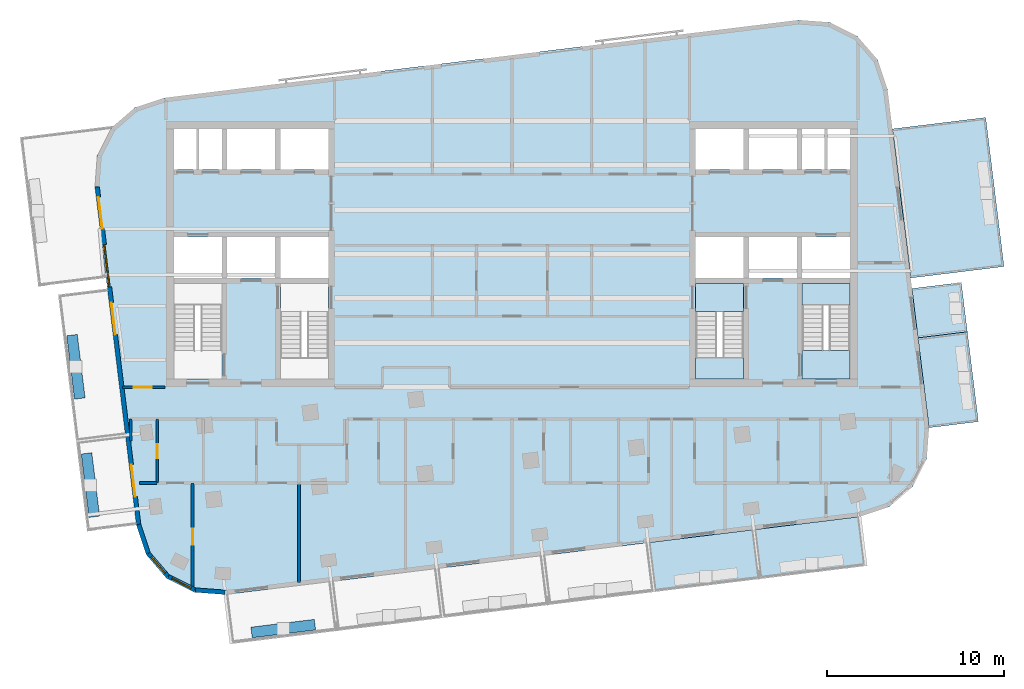
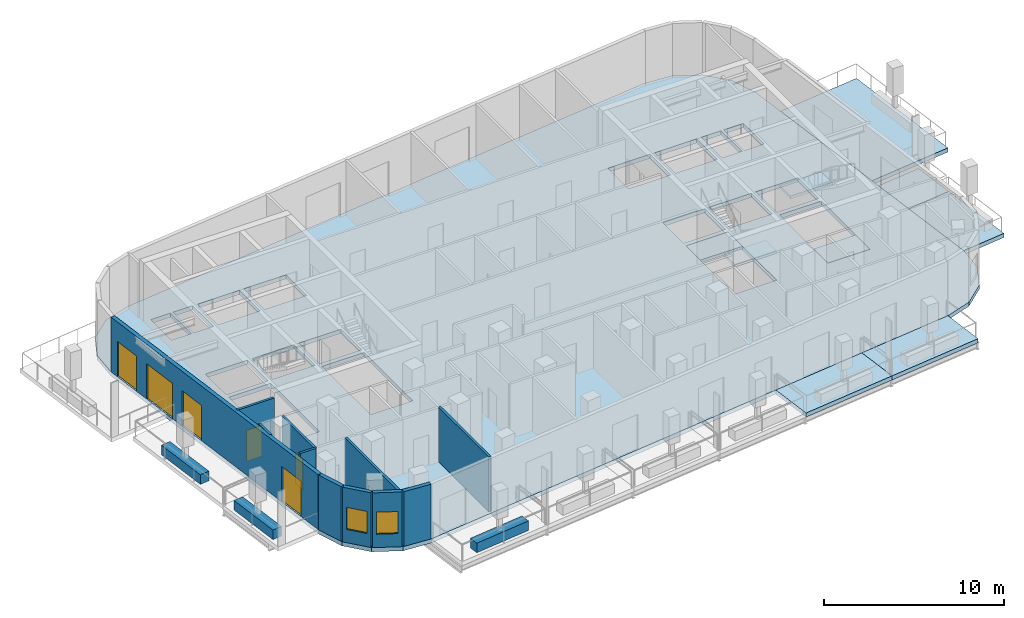
# One storey, part 2 of 11: 14 walls, 10 slabs, 6 doors, 3 windows, 9 openings, 2 elements without a shape of their own.
"""IFC4 building model written with IfcOpenShell, lengths in metres."""

from ifc_helpers import new_model, si_unit, direction, frame, frame_2d, origin, place, context, subcontext, project, spatial, polyline, rectangle, outline, extrude, material, layer, layer_set, type_object, element, fill, aggregate, save


model = new_model("IFC4")

# Units and contexts
model_context = context("Model", 3, precision=1e-05, world=origin(), true_north=direction((0.0, 1.0)))
body_context = subcontext(model_context, "Body", "Model", "MODEL_VIEW")
ifc_project = project(units=[si_unit("LENGTHUNIT", "METRE"), si_unit("AREAUNIT", "SQUARE_METRE"), si_unit("VOLUMEUNIT", "CUBIC_METRE"), si_unit("PLANEANGLEUNIT", "RADIAN"), si_unit("MASSUNIT", "GRAM", prefix="KILO")], contexts=[model_context])

# Site, building, storey
site_placement = place(None, origin())
site = spatial("IfcSite", under=ifc_project, at=site_placement, CompositionType="ELEMENT")
building_placement = place(site_placement, origin())
building = spatial("IfcBuilding", under=site, at=building_placement, Name="Torana Hotel and Residences", CompositionType="ELEMENT")
storey_placement = place(building_placement, frame((0.0, 0.0, 330.60009765625)))
storey = spatial("IfcBuildingStorey", under=building, at=storey_placement, Name="L87", CompositionType="ELEMENT", Elevation=330.60009765625)

# Slabs
ifc_material_1 = material(Name="Concrete C40/50", Category="concrete")
ifc_layer_1 = layer(ifc_material_1, 0.280029296875)
ifc_layer_set_1 = layer_set([ifc_layer_1], Name="BAL1 BALCONY SLAB 280")
slab_type_1 = type_object("IfcSlabType", Name="BAL1 BALCONY SLAB 280", PredefinedType="USERDEFINED", material=ifc_layer_set_1)
slab_1_placement = place(storey_placement, frame((0.0, 0.0, -0.280029296875)))
element("IfcSlab", 1, at=slab_1_placement, inside=storey, type_object=slab_type_1, Name="Balcony 05", ObjectType="BALCONY", PredefinedType="USERDEFINED", context=body_context, shape_type="SweptSolid", body=[
    extrude(outline(polyline([(8.014892578125, -26.542724609375), (13.97021484375, -25.8115234375), (13.62890625, -23.032470703125), (7.673583984375, -23.763671875), (8.014892578125, -26.542724609375)])), origin(), (0.0, 0.0, 1.0), 0.280029296875),
])
slab_2_placement = place(storey_placement, frame((0.0, 0.0, -0.280029296875)))
element("IfcSlab", 2, at=slab_2_placement, inside=storey, type_object=slab_type_1, Name="Balcony 06", ObjectType="BALCONY", PredefinedType="USERDEFINED", context=body_context, shape_type="SweptSolid", body=[
    extrude(outline(polyline([(13.97021484375, -25.8115234375), (19.92529296875, -25.080322265625), (19.584228515625, -22.30126953125), (13.62890625, -23.032470703125), (13.97021484375, -25.8115234375)])), origin(), (0.0, 0.0, 1.0), 0.280029296875),
])
slab_3_placement = place(storey_placement, frame((0.0, 0.0, -0.280029296875)))
element("IfcSlab", 3, at=slab_3_placement, inside=storey, type_object=slab_type_1, Name="Balcony 10", ObjectType="BALCONY", PredefinedType="USERDEFINED", context=body_context, shape_type="SweptSolid", body=[
    extrude(outline(polyline([(23.502197265625, -17.286376953125), (26.281494140625, -16.945068359375), (25.659912109375, -11.88330078125), (22.880615234375, -12.224365234375), (23.502197265625, -17.286376953125)])), origin(), (0.0, 0.0, 1.0), 0.280029296875),
])
slab_4_placement = place(storey_placement, frame((0.0, 0.0, -0.280029296875)))
element("IfcSlab", 4, at=slab_4_placement, inside=storey, type_object=slab_type_1, Name="Balcony 11", ObjectType="BALCONY", PredefinedType="USERDEFINED", context=body_context, shape_type="SweptSolid", body=[
    extrude(outline(polyline([(22.880615234375, -12.224365234375), (25.659912109375, -11.88330078125), (25.318603515625, -9.104248046875), (22.53955078125, -9.445556640625), (22.880615234375, -12.224365234375)])), origin(), (0.0, 0.0, 1.0), 0.280029296875),
])
slab_5_placement = place(storey_placement, frame((0.0, 0.0, -0.280029296875)))
element("IfcSlab", 5, at=slab_5_placement, inside=storey, type_object=slab_type_1, Name="Balcony 12", ObjectType="BALCONY", PredefinedType="USERDEFINED", context=body_context, shape_type="SweptSolid", body=[
    extrude(outline(polyline([(22.46630859375, -8.85009765625), (27.726806640625, -8.2041015625), (26.695556640625, 0.19580078125), (21.43505859375, -0.449951171875), (22.46630859375, -8.85009765625)])), origin(), (0.0, 0.0, 1.0), 0.280029296875),
])
ifc_material_2 = material(Name="Concrete C40/50", Category="concrete")
ifc_layer_2 = layer(ifc_material_2, 0.280029296875)
ifc_layer_set_2 = layer_set([ifc_layer_2], Name="FLOOR SLAB PT 280")
slab_type_2 = type_object("IfcSlabType", Name="FLOOR SLAB PT 280", PredefinedType="FLOOR", material=ifc_layer_set_2)
slab_6_placement = place(storey_placement, frame((0.0, 0.0, -0.280029296875)))
element("IfcSlab", 6, at=slab_6_placement, inside=storey, type_object=slab_type_2, Name="Floor slab", PredefinedType="FLOOR", context=body_context, shape_type="SweptSolid", body=[
    extrude(outline(polyline([(21.162353515625, 1.7705078125), (20.612548828125, 3.43798828125), (19.46630859375, 4.76806640625), (17.8984375, 5.558349609375), (16.1474609375, 5.6884765625), (-19.584228515625, 1.30126953125), (-21.251708984375, 0.75146484375), (-22.581787109375, -0.394775390625), (-23.3720703125, -1.962646484375), (-23.502197265625, -3.713623046875), (-21.162353515625, -22.7705078125), (-20.612548828125, -24.43798828125), (-19.46630859375, -25.76806640625), (-17.8984375, -26.558349609375), (-16.1474609375, -26.6884765625), (19.584228515625, -22.30126953125), (21.251708984375, -21.75146484375), (22.581787109375, -20.605224609375), (23.3720703125, -19.037353515625), (23.502197265625, -17.286376953125), (21.162353515625, 1.7705078125)]), holes=[polyline([(-13.050048828125, -14.550048828125), (-10.35009765625, -14.550048828125), (-10.35009765625, -9.14990234375), (-13.050048828125, -9.14990234375), (-13.050048828125, -14.550048828125)]), polyline([(-19.050048828125, -14.550048828125), (-16.35009765625, -14.550048828125), (-16.35009765625, -9.14990234375), (-19.050048828125, -9.14990234375), (-19.050048828125, -14.550048828125)]), polyline([(-17.625, -2.75), (-16.35009765625, -2.75), (-16.35009765625, -0.449951171875), (-17.625, -0.449951171875), (-17.625, -2.75)]), polyline([(-19.050048828125, -2.75), (-17.77490234375, -2.75), (-17.77490234375, -0.449951171875), (-19.050048828125, -0.449951171875), (-19.050048828125, -2.75)]), polyline([(-13.050048828125, -2.75), (-10.35009765625, -2.75), (-10.35009765625, -0.449951171875), (-13.050048828125, -0.449951171875), (-13.050048828125, -2.75)]), polyline([(-16.050048828125, -2.75), (-13.35009765625, -2.75), (-13.35009765625, -0.449951171875), (-16.050048828125, -0.449951171875), (-16.050048828125, -2.75)]), polyline([(-13.050048828125, -8.85009765625), (-10.35009765625, -8.85009765625), (-10.35009765625, -6.550048828125), (-13.050048828125, -6.550048828125), (-13.050048828125, -8.85009765625)]), polyline([(-16.050048828125, -8.85009765625), (-13.35009765625, -8.85009765625), (-13.35009765625, -6.550048828125), (-16.050048828125, -6.550048828125), (-16.050048828125, -8.85009765625)]), polyline([(-19.050048828125, -8.85009765625), (-16.35009765625, -8.85009765625), (-16.35009765625, -6.550048828125), (-19.050048828125, -6.550048828125), (-19.050048828125, -8.85009765625)]), polyline([(10.35009765625, -14.550048828125), (13.050048828125, -14.550048828125), (13.050048828125, -9.14990234375), (10.35009765625, -9.14990234375), (10.35009765625, -14.550048828125)]), polyline([(16.35009765625, -14.550048828125), (19.050048828125, -14.550048828125), (19.050048828125, -9.14990234375), (16.35009765625, -9.14990234375), (16.35009765625, -14.550048828125)]), polyline([(16.35009765625, -2.75), (17.625, -2.75), (17.625, -0.449951171875), (16.35009765625, -0.449951171875), (16.35009765625, -2.75)]), polyline([(17.77490234375, -2.75), (19.050048828125, -2.75), (19.050048828125, -0.449951171875), (17.77490234375, -0.449951171875), (17.77490234375, -2.75)]), polyline([(10.35009765625, -2.75), (13.050048828125, -2.75), (13.050048828125, -0.449951171875), (10.35009765625, -0.449951171875), (10.35009765625, -2.75)]), polyline([(13.35009765625, -2.75), (16.050048828125, -2.75), (16.050048828125, -0.449951171875), (13.35009765625, -0.449951171875), (13.35009765625, -2.75)]), polyline([(10.35009765625, -8.85009765625), (13.050048828125, -8.85009765625), (13.050048828125, -6.550048828125), (10.35009765625, -6.550048828125), (10.35009765625, -8.85009765625)]), polyline([(13.35009765625, -8.85009765625), (16.050048828125, -8.85009765625), (16.050048828125, -6.550048828125), (13.35009765625, -6.550048828125), (13.35009765625, -8.85009765625)]), polyline([(16.35009765625, -8.85009765625), (19.050048828125, -8.85009765625), (19.050048828125, -6.550048828125), (16.35009765625, -6.550048828125), (16.35009765625, -8.85009765625)])]), origin(), (0.0, 0.0, 1.0), 0.280029296875),
])

# Stair, slabs
ifc_material_3 = material(Name="Concrete C40/50 precast", Category="concrete")
stair_type_1 = type_object("IfcStairType", Name="STAIR ST3 HALF TURN 1200", PredefinedType="HALF_TURN_STAIR", material=ifc_material_3)
stair_1_placement = place(storey_placement, origin())
stair_1 = element("IfcStair", 7, at=stair_1_placement, inside=storey, type_object=stair_type_1, Name="Stair ST3 L87", PredefinedType="HALF_TURN_STAIR")
ifc_material_4 = material(Name="Concrete C40/50 precast", Category="concrete")
ifc_layer_3 = layer(ifc_material_4, 0.199951171875)
ifc_layer_set_3 = layer_set([ifc_layer_3], Name="STAIR LANDING 200")
slab_type_3 = type_object("IfcSlabType", Name="STAIR LANDING 200", PredefinedType="LANDING", material=ifc_layer_set_3)
slab_7_placement = place(storey_placement, frame((0.0, 0.0, 1.7998046875)))
slab_7 = element("IfcSlab", 8, at=slab_7_placement, type_object=slab_type_3, Name="ST3 landing 1", PredefinedType="LANDING", context=body_context, shape_type="SweptSolid", body=[
    extrude(outline(polyline([(10.35009765625, -14.550048828125), (13.050048828125, -14.550048828125), (13.050048828125, -13.35009765625), (10.35009765625, -13.35009765625), (10.35009765625, -14.550048828125)])), origin(), (0.0, 0.0, 1.0), 0.2001953125),
])
slab_8_placement = place(storey_placement, frame((0.0, 0.0, -0.2001953125)))
slab_8 = element("IfcSlab", 9, at=slab_8_placement, type_object=slab_type_3, Name="ST3 landing 2", PredefinedType="LANDING", context=body_context, shape_type="SweptSolid", body=[
    extrude(outline(polyline([(10.35009765625, -10.75), (13.050048828125, -10.75), (13.050048828125, -9.14990234375), (10.35009765625, -9.14990234375), (10.35009765625, -10.75)])), origin(), (0.0, 0.0, 1.0), 0.2001953125),
])
aggregate(stair_1, [slab_7, slab_8])

ifc_material_5 = material(Name="Concrete C40/50 precast", Category="concrete")
stair_type_2 = type_object("IfcStairType", Name="STAIR ST4 HALF TURN 1200", PredefinedType="HALF_TURN_STAIR", material=ifc_material_5)
stair_2_placement = place(storey_placement, origin())
stair_2 = element("IfcStair", 10, at=stair_2_placement, inside=storey, type_object=stair_type_2, Name="Stair ST4 L87", PredefinedType="HALF_TURN_STAIR")
slab_9_placement = place(storey_placement, frame((0.0, 0.0, 1.7998046875)))
slab_9 = element("IfcSlab", 11, at=slab_9_placement, type_object=slab_type_3, Name="ST4 landing 1", PredefinedType="LANDING", context=body_context, shape_type="SweptSolid", body=[
    extrude(outline(polyline([(16.35009765625, -10.35009765625), (19.050048828125, -10.35009765625), (19.050048828125, -9.14990234375), (16.35009765625, -9.14990234375), (16.35009765625, -10.35009765625)])), origin(), (0.0, 0.0, 1.0), 0.2001953125),
])
slab_10_placement = place(storey_placement, frame((0.0, 0.0, -0.2001953125)))
slab_10 = element("IfcSlab", 12, at=slab_10_placement, type_object=slab_type_3, Name="ST4 landing 2", PredefinedType="LANDING", context=body_context, shape_type="SweptSolid", body=[
    extrude(outline(polyline([(16.35009765625, -14.550048828125), (19.050048828125, -14.550048828125), (19.050048828125, -12.949951171875), (16.35009765625, -12.949951171875), (16.35009765625, -14.550048828125)])), origin(), (0.0, 0.0, 1.0), 0.2001953125),
])
aggregate(stair_2, [slab_9, slab_10])

# Wall, openings, doors, window
ifc_material_6 = material(Name="Black aluminium composite panel", Category="aluminium")
ifc_layer_4 = layer(ifc_material_6, 0.00390625, Name="Cladding", Category="cladding")
ifc_material_7 = material(Name="Ventilated air cavity")
ifc_layer_5 = layer(ifc_material_7, 0.0400390625, Name="Ventilated cavity", Category="cavity")
ifc_material_8 = material(Name="Mineral wool insulation")
ifc_layer_6 = layer(ifc_material_8, 0.090087890625, Name="Insulation", Category="insulation")
ifc_material_9 = material(Name="Steel S280GD", Category="steel")
ifc_layer_7 = layer(ifc_material_9, 0.092041015625, Name="Steel stud frame", Category="structure")
ifc_material_10 = material(Name="Fire rated plasterboard")
ifc_layer_8 = layer(ifc_material_10, 0.011962890625, Name="Inner board", Category="finish")
ifc_layer_9 = layer(ifc_material_10, 0.011962890625, Name="Second board", Category="finish")
ifc_layer_set_4 = layer_set([ifc_layer_4, ifc_layer_5, ifc_layer_6, ifc_layer_7, ifc_layer_8, ifc_layer_9], Name="EW1 EXTERNAL WALL BLACK METAL CLAD 250")
wall_type_1 = type_object("IfcWallType", Name="EW1 EXTERNAL WALL BLACK METAL CLAD 250", PredefinedType="SOLIDWALL", material=ifc_layer_set_4)
wall_1_placement = place(storey_placement, frame((-23.375, -3.722900390625, 0.0), z_axis=(0.0, 0.0, 1.0), x_axis=(0.121862878281, -0.992546945437, 0.0)))
wall_1 = element("IfcWall", 13, at=wall_1_placement, inside=storey, type_object=wall_type_1, Name="External wall L87 e0.9", PredefinedType="SOLIDWALL", context=body_context, shape_type="SweptSolid", body=[
    extrude(rectangle(XDim=19.150634765625, YDim=0.25, at=frame_2d((9.5751953125, 0.0))), origin(), (0.0, 0.0, 1.0), 3.719970703125),
])
opening_1_placement = place(wall_1_placement, frame((0.574951171875, 0.0, 0.0)))
opening_1 = element("IfcOpeningElement", 14, at=opening_1_placement, cuts=wall_1, Name="Opening L87-E10", PredefinedType="OPENING", context=body_context, shape_type="SweptSolid", body=[
    extrude(rectangle(XDim=1.800048828125, YDim=2.39990234375, at=frame_2d((0.89990234375, 1.199951171875))), frame((0.0, 0.135009765625, 0.0), z_axis=(0.0, -1.0, 0.0), x_axis=(1.0, 0.0, 0.0)), (0.0, 0.0, 1.0), 0.27001953125),
])
opening_2_placement = place(wall_1_placement, frame((3.275390625, 0.0, 0.0)))
opening_2 = element("IfcOpeningElement", 15, at=opening_2_placement, cuts=wall_1, Name="Opening W6", PredefinedType="OPENING", context=body_context, shape_type="SweptSolid", body=[
    extrude(rectangle(XDim=2.39990234375, YDim=2.39990234375, at=frame_2d((1.199951171875, 1.199951171875))), frame((0.0, 0.135009765625, 0.0), z_axis=(0.0, -1.0, 0.0), x_axis=(1.0, 0.0, 0.0)), (0.0, 0.0, 1.0), 0.27001953125),
])
opening_3_placement = place(wall_1_placement, frame((6.57568359375, 0.0, 0.0)))
opening_3 = element("IfcOpeningElement", 16, at=opening_3_placement, cuts=wall_1, Name="Opening L87-E11", PredefinedType="OPENING", context=body_context, shape_type="SweptSolid", body=[
    extrude(rectangle(XDim=1.800048828125, YDim=2.39990234375, at=frame_2d((0.89990234375, 1.199951171875))), frame((0.0, 0.135009765625, 0.0), z_axis=(0.0, -1.0, 0.0), x_axis=(1.0, 0.0, 0.0)), (0.0, 0.0, 1.0), 0.27001953125),
])
opening_4_placement = place(wall_1_placement, frame((15.77490234375, 0.0, 0.0)))
opening_4 = element("IfcOpeningElement", 17, at=opening_4_placement, cuts=wall_1, Name="Opening L87-E12", PredefinedType="OPENING", context=body_context, shape_type="SweptSolid", body=[
    extrude(rectangle(XDim=1.800048828125, YDim=2.39990234375, at=frame_2d((0.89990234375, 1.199951171875))), frame((0.0, 0.135009765625, 0.0), z_axis=(0.0, -1.0, 0.0), x_axis=(1.0, 0.0, 0.0)), (0.0, 0.0, 1.0), 0.27001953125),
])
ifc_material_11 = material(Name="Dark glass in black aluminium frame", Category="aluminium")
door_type_1 = type_object("IfcDoorType", Name="DB1 BALCONY DOOR 1800x2400", OperationType="DOUBLE_DOOR_SINGLE_SWING", PredefinedType="DOOR", material=ifc_material_11)
door_1_placement = place(opening_1_placement, origin())
door_1 = element("IfcDoor", 18, at=door_1_placement, inside=storey, type_object=door_type_1, Name="Balcony door L87", OperationType="DOUBLE_DOOR_SINGLE_SWING", OverallHeight=2.39990234375, OverallWidth=1.800048828125, PredefinedType="DOOR", context=body_context, shape_type="SweptSolid", body=[
    extrude(rectangle(XDim=1.800048828125, YDim=2.39990234375, at=frame_2d((0.89990234375, 1.199951171875))), frame((0.0, 0.02490234375, 0.0), z_axis=(0.0, -1.0, 0.0), x_axis=(1.0, 0.0, 0.0)), (0.0, 0.0, 1.0), 0.050048828125),
])
fill(opening_1, door_1)
door_2_placement = place(opening_3_placement, origin())
door_2 = element("IfcDoor", 19, at=door_2_placement, inside=storey, type_object=door_type_1, Name="Balcony door L87", OperationType="DOUBLE_DOOR_SINGLE_SWING", OverallHeight=2.39990234375, OverallWidth=1.800048828125, PredefinedType="DOOR", context=body_context, shape_type="SweptSolid", body=[
    extrude(rectangle(XDim=1.800048828125, YDim=2.39990234375, at=frame_2d((0.89990234375, 1.199951171875))), frame((0.0, 0.02490234375, 0.0), z_axis=(0.0, -1.0, 0.0), x_axis=(1.0, 0.0, 0.0)), (0.0, 0.0, 1.0), 0.050048828125),
])
fill(opening_3, door_2)
door_3_placement = place(opening_4_placement, origin())
door_3 = element("IfcDoor", 20, at=door_3_placement, inside=storey, type_object=door_type_1, Name="Balcony door L87", OperationType="DOUBLE_DOOR_SINGLE_SWING", OverallHeight=2.39990234375, OverallWidth=1.800048828125, PredefinedType="DOOR", context=body_context, shape_type="SweptSolid", body=[
    extrude(rectangle(XDim=1.800048828125, YDim=2.39990234375, at=frame_2d((0.89990234375, 1.199951171875))), frame((0.0, 0.02490234375, 0.0), z_axis=(0.0, -1.0, 0.0), x_axis=(1.0, 0.0, 0.0)), (0.0, 0.0, 1.0), 0.050048828125),
])
fill(opening_4, door_3)
ifc_material_12 = material(Name="Dark glass in black aluminium frame", Category="aluminium")
window_type_1 = type_object("IfcWindowType", Name="W6 CLUB GLAZED BAY 2400x2400", PartitioningType="SINGLE_PANEL", PredefinedType="WINDOW", material=ifc_material_12)
window_1_placement = place(opening_2_placement, origin())
window_1 = element("IfcWindow", 21, at=window_1_placement, inside=storey, type_object=window_type_1, Name="Window L87", OverallHeight=2.39990234375, OverallWidth=2.39990234375, PartitioningType="SINGLE_PANEL", PredefinedType="WINDOW", context=body_context, shape_type="SweptSolid", body=[
    extrude(rectangle(XDim=2.39990234375, YDim=2.39990234375, at=frame_2d((1.199951171875, 1.199951171875))), frame((0.0, 0.030029296875, 0.0), z_axis=(0.0, -1.0, 0.0), x_axis=(1.0, 0.0, 0.0)), (0.0, 0.0, 1.0), 0.06005859375),
])
fill(opening_2, window_1)

# Wall
wall_2_placement = place(storey_placement, frame((-21.035888671875, -22.754638671875, 0.0), z_axis=(0.0, 0.0, 1.0), x_axis=(0.313046160822, -0.949737911844, 0.0)))
element("IfcWall", 22, at=wall_2_placement, inside=storey, type_object=wall_type_1, Name="External wall L87 e0.10", PredefinedType="SOLIDWALL", context=body_context, shape_type="SweptSolid", body=[
    extrude(rectangle(XDim=1.681396484375, YDim=0.25, at=frame_2d((0.8408203125, 0.0))), origin(), (0.0, 0.0, 1.0), 3.719970703125),
])

# Wall, opening, window
wall_3_placement = place(storey_placement, frame((-20.4853515625, -24.39404296875, 0.0), z_axis=(0.0, 0.0, 1.0), x_axis=(0.652755886531, -0.757568315466, 0.0)))
wall_3 = element("IfcWall", 23, at=wall_3_placement, inside=storey, type_object=wall_type_1, Name="External wall L87 e0.11", PredefinedType="SOLIDWALL", context=body_context, shape_type="SweptSolid", body=[
    extrude(rectangle(XDim=1.65625, YDim=0.25, at=frame_2d((0.828125, 0.0))), origin(), (0.0, 0.0, 1.0), 3.719970703125),
])
opening_5_placement = place(wall_3_placement, frame((0.228271484375, 0.0, 0.89990234375)))
opening_5 = element("IfcOpeningElement", 24, at=opening_5_placement, cuts=wall_3, Name="Opening W5", PredefinedType="OPENING", context=body_context, shape_type="SweptSolid", body=[
    extrude(rectangle(XDim=1.199951171875, YDim=1.5, at=frame_2d((0.60009765625, 0.75))), frame((0.0, 0.135009765625, 0.0), z_axis=(0.0, -1.0, 0.0), x_axis=(1.0, 0.0, 0.0)), (0.0, 0.0, 1.0), 0.27001953125),
])
ifc_material_13 = material(Name="Dark glass in black aluminium frame", Category="aluminium")
window_type_2 = type_object("IfcWindowType", Name="W5 CORNER FACET WINDOW 1200x1500", PartitioningType="SINGLE_PANEL", PredefinedType="WINDOW", material=ifc_material_13)
window_2_placement = place(opening_5_placement, origin())
window_2 = element("IfcWindow", 25, at=window_2_placement, inside=storey, type_object=window_type_2, Name="Window L87 e0.11", OverallHeight=1.5, OverallWidth=1.199951171875, PartitioningType="SINGLE_PANEL", PredefinedType="WINDOW", context=body_context, shape_type="SweptSolid", body=[
    extrude(rectangle(XDim=1.199951171875, YDim=1.5, at=frame_2d((0.60009765625, 0.75))), frame((0.0, 0.030029296875, 0.0), z_axis=(0.0, -1.0, 0.0), x_axis=(1.0, 0.0, 0.0)), (0.0, 0.0, 1.0), 0.06005859375),
])
fill(opening_5, window_2)

wall_4_placement = place(storey_placement, frame((-19.36572265625, -25.678955078125, 0.0), z_axis=(0.0, 0.0, 1.0), x_axis=(0.893007580524, -0.450041621549, 0.0)))
wall_4 = element("IfcWall", 26, at=wall_4_placement, inside=storey, type_object=wall_type_1, Name="External wall L87 e0.12", PredefinedType="SOLIDWALL", context=body_context, shape_type="SweptSolid", body=[
    extrude(rectangle(XDim=1.65625, YDim=0.25, at=frame_2d((0.828125, 0.0))), origin(), (0.0, 0.0, 1.0), 3.719970703125),
])
opening_6_placement = place(wall_4_placement, frame((0.228271484375, 0.0, 0.89990234375)))
opening_6 = element("IfcOpeningElement", 27, at=opening_6_placement, cuts=wall_4, Name="Opening W5", PredefinedType="OPENING", context=body_context, shape_type="SweptSolid", body=[
    extrude(rectangle(XDim=1.199951171875, YDim=1.5, at=frame_2d((0.60009765625, 0.75))), frame((0.0, 0.135009765625, 0.0), z_axis=(0.0, -1.0, 0.0), x_axis=(1.0, 0.0, 0.0)), (0.0, 0.0, 1.0), 0.27001953125),
])
window_3_placement = place(opening_6_placement, origin())
window_3 = element("IfcWindow", 28, at=window_3_placement, inside=storey, type_object=window_type_2, Name="Window L87 e0.12", OverallHeight=1.5, OverallWidth=1.199951171875, PartitioningType="SINGLE_PANEL", PredefinedType="WINDOW", context=body_context, shape_type="SweptSolid", body=[
    extrude(rectangle(XDim=1.199951171875, YDim=1.5, at=frame_2d((0.60009765625, 0.75))), frame((0.0, 0.030029296875, 0.0), z_axis=(0.0, -1.0, 0.0), x_axis=(1.0, 0.0, 0.0)), (0.0, 0.0, 1.0), 0.06005859375),
])
fill(opening_6, window_3)

# Wall
wall_5_placement = place(storey_placement, frame((-17.839599609375, -26.4375, 0.0), z_axis=(0.0, 0.0, 1.0), x_axis=(0.997254267475, -0.074053534713, 0.0)))
element("IfcWall", 29, at=wall_5_placement, inside=storey, type_object=wall_type_1, Name="External wall L87 e0.13", PredefinedType="SOLIDWALL", context=body_context, shape_type="SweptSolid", body=[
    extrude(rectangle(XDim=1.681396484375, YDim=0.25, at=frame_2d((0.8408203125, 0.0))), origin(), (0.0, 0.0, 1.0), 3.719970703125),
])

# Wall, opening, door
ifc_material_14 = material(Name="Gypsum plaster")
ifc_layer_10 = layer(ifc_material_14, 0.014892578125, Name="Plaster", Category="finish")
ifc_material_15 = material(Name="Concrete blockwork", Category="masonry")
ifc_layer_11 = layer(ifc_material_15, 0.1201171875, Name="Blockwork", Category="structure")
ifc_layer_12 = layer(ifc_material_14, 0.014892578125, Name="Plaster", Category="finish")
ifc_layer_set_5 = layer_set([ifc_layer_10, ifc_layer_11, ifc_layer_12], Name="FIRE PARTITION 150 BLOCKWORK")
wall_type_2 = type_object("IfcWallType", Name="FIRE PARTITION 150 BLOCKWORK", PredefinedType="PARTITIONING", material=ifc_layer_set_5)
wall_6_placement = place(storey_placement, frame((-21.93505859375, -15.0, 0.0), z_axis=(0.0, 0.0, 1.0), x_axis=(1.0, 0.0, 0.0)))
wall_6 = element("IfcWall", 30, at=wall_6_placement, inside=storey, type_object=wall_type_2, Name="Partition L87", PredefinedType="PARTITIONING", context=body_context, shape_type="SweptSolid", body=[
    extrude(rectangle(XDim=2.385009765625, YDim=0.14990234375, at=frame_2d((1.1923828125, 0.0))), origin(), (0.0, 0.0, 1.0), 3.719970703125),
])
opening_7_placement = place(wall_6_placement, frame((0.626953125, 0.0, 0.0)))
opening_7 = element("IfcOpeningElement", 31, at=opening_7_placement, cuts=wall_6, Name="Opening L87-27", PredefinedType="OPENING", context=body_context, shape_type="SweptSolid", body=[
    extrude(rectangle(XDim=1.0, YDim=2.10009765625, at=frame_2d((0.5, 1.050048828125))), frame((0.0, 0.0849609375, 0.0), z_axis=(0.0, -1.0, 0.0), x_axis=(1.0, 0.0, 0.0)), (0.0, 0.0, 1.0), 0.169921875),
])
ifc_material_16 = material(Name="Steel S235", Category="steel")
door_type_2 = type_object("IfcDoorType", Name="CORE ROOM FIRE DOOR D14 1000x2100", OperationType="SINGLE_SWING_LEFT", PredefinedType="DOOR", material=ifc_material_16)
door_4_placement = place(opening_7_placement, origin())
door_4 = element("IfcDoor", 32, at=door_4_placement, inside=storey, type_object=door_type_2, Name="Door L87", OperationType="SINGLE_SWING_RIGHT", OverallHeight=2.10009765625, OverallWidth=1.0, PredefinedType="DOOR", context=body_context, shape_type="SweptSolid", body=[
    extrude(rectangle(XDim=1.0, YDim=2.10009765625, at=frame_2d((0.5, 1.050048828125))), frame((0.0, 0.02490234375, 0.0), z_axis=(0.0, -1.0, 0.0), x_axis=(1.0, 0.0, 0.0)), (0.0, 0.0, 1.0), 0.050048828125),
])
fill(opening_7, door_4)

# Wall
ifc_material_17 = material(Name="Gypsum plasterboard")
ifc_layer_13 = layer(ifc_material_17, 0.012451171875, Name="Plasterboard", Category="finish")
ifc_layer_14 = layer(ifc_material_17, 0.012451171875, Name="Plasterboard", Category="finish")
ifc_layer_15 = layer(ifc_material_9, 0.10009765625, Name="Steel studs with mineral wool", Category="insulation")
ifc_layer_16 = layer(ifc_material_17, 0.012451171875, Name="Plasterboard", Category="finish")
ifc_layer_17 = layer(ifc_material_17, 0.012451171875, Name="Plasterboard", Category="finish")
ifc_layer_set_6 = layer_set([ifc_layer_13, ifc_layer_14, ifc_layer_15, ifc_layer_16, ifc_layer_17], Name="PARTITION 150 PLASTERBOARD")
wall_type_3 = type_object("IfcWallType", Name="PARTITION 150 PLASTERBOARD", PredefinedType="PARTITIONING", material=ifc_layer_set_6)
wall_7_placement = place(storey_placement, frame((-12.0, -25.997802734375, 0.0), z_axis=(0.0, 0.0, 1.0), x_axis=(0.0, 1.0, 0.0)))
element("IfcWall", 33, at=wall_7_placement, inside=storey, type_object=wall_type_3, Name="Partition L87", PredefinedType="PARTITIONING", context=body_context, shape_type="SweptSolid", body=[
    extrude(rectangle(XDim=5.597900390625, YDim=0.14990234375, at=frame_2d((2.798828125, 0.0))), origin(), (0.0, 0.0, 1.0), 3.719970703125),
])

# Wall, opening, door
wall_8_placement = place(storey_placement, frame((-18.0, -26.238525390625, 0.0), z_axis=(0.0, 0.0, 1.0), x_axis=(0.0, 1.0, 0.0)))
wall_8 = element("IfcWall", 34, at=wall_8_placement, inside=storey, type_object=wall_type_3, Name="Partition L87", PredefinedType="PARTITIONING", context=body_context, shape_type="SweptSolid", body=[
    extrude(rectangle(XDim=5.838623046875, YDim=0.14990234375, at=frame_2d((2.91943359375, 0.0))), origin(), (0.0, 0.0, 1.0), 3.719970703125),
])
opening_8_placement = place(wall_8_placement, frame((2.3515625, 0.0, 0.0)))
opening_8 = element("IfcOpeningElement", 35, at=opening_8_placement, cuts=wall_8, Name="Opening L87-51", PredefinedType="OPENING", context=body_context, shape_type="SweptSolid", body=[
    extrude(rectangle(XDim=0.89990234375, YDim=2.10009765625, at=frame_2d((0.449951171875, 1.050048828125))), frame((0.0, 0.0849609375, 0.0), z_axis=(0.0, -1.0, 0.0), x_axis=(1.0, 0.0, 0.0)), (0.0, 0.0, 1.0), 0.169921875),
])
ifc_material_18 = material(Name="Timber door, oiled ash", Category="wood")
door_type_3 = type_object("IfcDoorType", Name="ROOM DOOR D7 900x2100", OperationType="SINGLE_SWING_LEFT", PredefinedType="DOOR", material=ifc_material_18)
door_5_placement = place(opening_8_placement, origin())
door_5 = element("IfcDoor", 36, at=door_5_placement, inside=storey, type_object=door_type_3, Name="Door L87", OperationType="SINGLE_SWING_RIGHT", OverallHeight=2.10009765625, OverallWidth=0.89990234375, PredefinedType="DOOR", context=body_context, shape_type="SweptSolid", body=[
    extrude(rectangle(XDim=0.89990234375, YDim=2.10009765625, at=frame_2d((0.449951171875, 1.050048828125))), frame((0.0, 0.02490234375, 0.0), z_axis=(0.0, -1.0, 0.0), x_axis=(1.0, 0.0, 0.0)), (0.0, 0.0, 1.0), 0.050048828125),
])
fill(opening_8, door_5)

# Walls
ifc_material_19 = material(Name="Concrete C40/50 precast", Category="concrete")
ifc_layer_18 = layer(ifc_material_19, 0.10009765625, Name="Planter shell", Category="structure")
ifc_material_20 = material(Name="Root resistant membrane")
ifc_layer_19 = layer(ifc_material_20, 0.00390625, Name="Waterproofing membrane", Category="membrane")
ifc_material_21 = material(Name="Drainage board with filter fleece")
ifc_layer_20 = layer(ifc_material_21, 0.02001953125, Name="Drainage board", Category="drainage")
ifc_material_22 = material(Name="Growing medium")
ifc_layer_21 = layer(ifc_material_22, 0.47607421875, Name="Planting substrate", Category="soil")
ifc_layer_set_7 = layer_set([ifc_layer_18, ifc_layer_19, ifc_layer_20, ifc_layer_21], Name="PL1 BALCONY PLANTER 600")
wall_type_4 = type_object("IfcWallType", Name="PL1 BALCONY PLANTER 600", PredefinedType="USERDEFINED", material=ifc_layer_set_7)
wall_9_placement = place(storey_placement, frame((-11.10302734375, -28.386474609375, 0.0), z_axis=(0.0, 0.0, 1.0), x_axis=(-0.992545758265, -0.121872547154, 0.0)))
element("IfcWall", 37, at=wall_9_placement, inside=storey, type_object=wall_type_4, Name="Planter 01", ObjectType="PLANTER", PredefinedType="USERDEFINED", context=body_context, shape_type="SweptSolid", body=[
    extrude(rectangle(XDim=3.599853515625, YDim=0.60009765625, at=frame_2d((1.7998046875, 0.0))), origin(), (0.0, 0.0, 1.0), 0.64990234375),
])
wall_10_placement = place(storey_placement, frame((-23.53662109375, -22.306396484375, 0.0), z_axis=(0.0, 0.0, 1.0), x_axis=(-0.121864343918, 0.992546765488, 0.0)))
element("IfcWall", 38, at=wall_10_placement, inside=storey, type_object=wall_type_4, Name="Planter 07", ObjectType="PLANTER", PredefinedType="USERDEFINED", context=body_context, shape_type="SweptSolid", body=[
    extrude(rectangle(XDim=3.60009765625, YDim=0.60009765625, at=frame_2d((1.800048828125, 0.0))), origin(), (0.0, 0.0, 1.0), 0.64990234375),
])
wall_11_placement = place(storey_placement, frame((-24.354736328125, -15.643798828125, 0.0), z_axis=(0.0, 0.0, 1.0), x_axis=(-0.121872547154, 0.992545758265, 0.0)))
element("IfcWall", 39, at=wall_11_placement, inside=storey, type_object=wall_type_4, Name="Planter 08", ObjectType="PLANTER", PredefinedType="USERDEFINED", context=body_context, shape_type="SweptSolid", body=[
    extrude(rectangle(XDim=3.599853515625, YDim=0.60009765625, at=frame_2d((1.7998046875, 0.0))), origin(), (0.0, 0.0, 1.0), 0.64990234375),
])

# Wall, opening, door
ifc_material_23 = material(Name="Ceramic tile on adhesive")
ifc_layer_22 = layer(ifc_material_23, 0.010009765625, Name="Wall tile", Category="finish")
ifc_material_24 = material(Name="Cement render")
ifc_layer_23 = layer(ifc_material_24, 0.010009765625, Name="Render", Category="finish")
ifc_layer_24 = layer(ifc_material_15, 0.110107421875, Name="Blockwork", Category="structure")
ifc_layer_25 = layer(ifc_material_24, 0.010009765625, Name="Render", Category="finish")
ifc_layer_26 = layer(ifc_material_23, 0.010009765625, Name="Wall tile", Category="finish")
ifc_layer_set_8 = layer_set([ifc_layer_22, ifc_layer_23, ifc_layer_24, ifc_layer_25, ifc_layer_26], Name="WC PARTITION 150")
wall_type_5 = type_object("IfcWallType", Name="WC PARTITION 150", PredefinedType="PLUMBINGWALL", material=ifc_layer_set_8)
wall_12_placement = place(storey_placement, frame((-19.989990234375, -20.39990234375, 0.0), z_axis=(0.0, 0.0, 1.0), x_axis=(0.0, 1.0, 0.0)))
wall_12 = element("IfcWall", 40, at=wall_12_placement, inside=storey, type_object=wall_type_5, Name="Partition L87", PredefinedType="PLUMBINGWALL", context=body_context, shape_type="SweptSolid", body=[
    extrude(rectangle(XDim=3.599853515625, YDim=0.14990234375, at=frame_2d((1.7998046875, 0.0))), origin(), (0.0, 0.0, 1.0), 3.719970703125),
])
opening_9_placement = place(wall_12_placement, frame((1.3798828125, 0.0, 0.0)))
opening_9 = element("IfcOpeningElement", 41, at=opening_9_placement, cuts=wall_12, Name="Opening L87-50", PredefinedType="OPENING", context=body_context, shape_type="SweptSolid", body=[
    extrude(rectangle(XDim=0.800048828125, YDim=2.10009765625, at=frame_2d((0.39990234375, 1.050048828125))), frame((0.0, 0.0849609375, 0.0), z_axis=(0.0, -1.0, 0.0), x_axis=(1.0, 0.0, 0.0)), (0.0, 0.0, 1.0), 0.169921875),
])
ifc_material_25 = material(Name="Timber door, painted", Category="wood")
door_type_4 = type_object("IfcDoorType", Name="BATH DOOR D13 800x2100", OperationType="SINGLE_SWING_LEFT", PredefinedType="DOOR", material=ifc_material_25)
door_6_placement = place(opening_9_placement, origin())
door_6 = element("IfcDoor", 42, at=door_6_placement, inside=storey, type_object=door_type_4, Name="Door L87", OperationType="SINGLE_SWING_LEFT", OverallHeight=2.10009765625, OverallWidth=0.800048828125, PredefinedType="DOOR", context=body_context, shape_type="SweptSolid", body=[
    extrude(rectangle(XDim=0.800048828125, YDim=2.10009765625, at=frame_2d((0.39990234375, 1.050048828125))), frame((0.0, 0.02490234375, 0.0), z_axis=(0.0, -1.0, 0.0), x_axis=(1.0, 0.0, 0.0)), (0.0, 0.0, 1.0), 0.050048828125),
])
fill(opening_9, door_6)

# Walls
wall_13_placement = place(storey_placement, frame((-21.489990234375, -18.050048828125, 0.0), z_axis=(0.0, 0.0, 1.0), x_axis=(0.0, 1.0, 0.0)))
element("IfcWall", 43, at=wall_13_placement, inside=storey, type_object=wall_type_5, Name="Partition L87", PredefinedType="PLUMBINGWALL", context=body_context, shape_type="SweptSolid", body=[
    extrude(rectangle(XDim=1.25, YDim=0.14990234375, at=frame_2d((0.625, 0.0))), origin(), (0.0, 0.0, 1.0), 3.719970703125),
])
wall_14_placement = place(storey_placement, frame((-20.989990234375, -20.39990234375, 0.0), z_axis=(0.0, 0.0, 1.0), x_axis=(1.0, 0.0, 0.0)))
element("IfcWall", 44, at=wall_14_placement, inside=storey, type_object=wall_type_5, Name="Partition L87", PredefinedType="PLUMBINGWALL", context=body_context, shape_type="SweptSolid", body=[
    extrude(rectangle(XDim=1.0, YDim=0.14990234375, at=frame_2d((0.5, 0.0))), origin(), (0.0, 0.0, 1.0), 3.719970703125),
])

save(model, "model.ifc")
